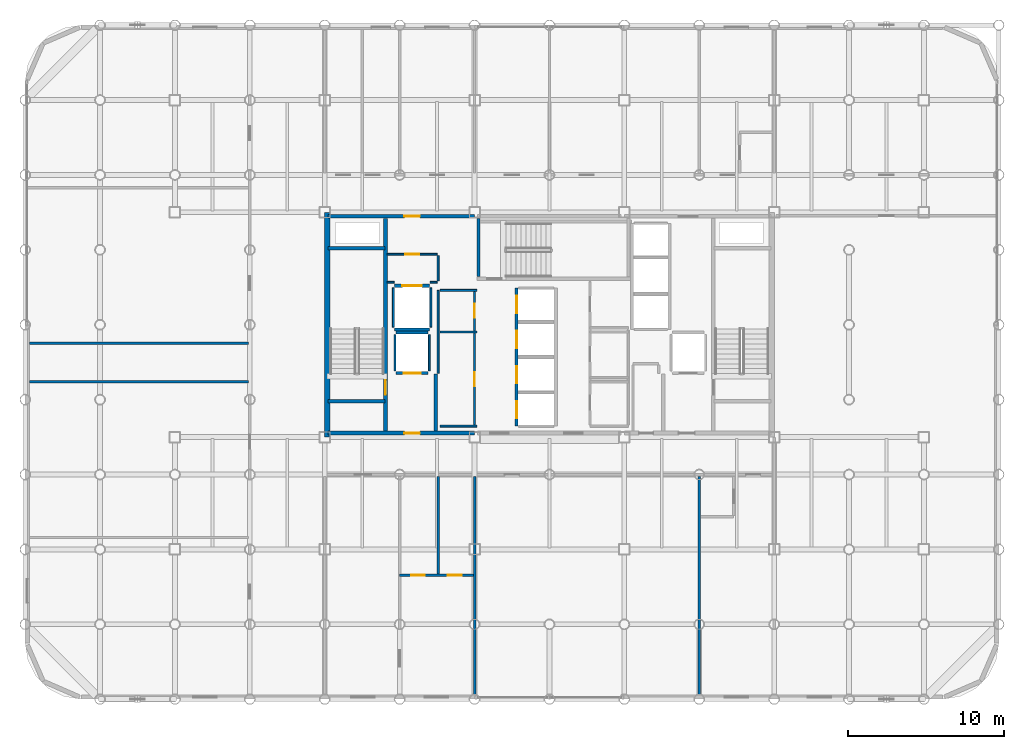
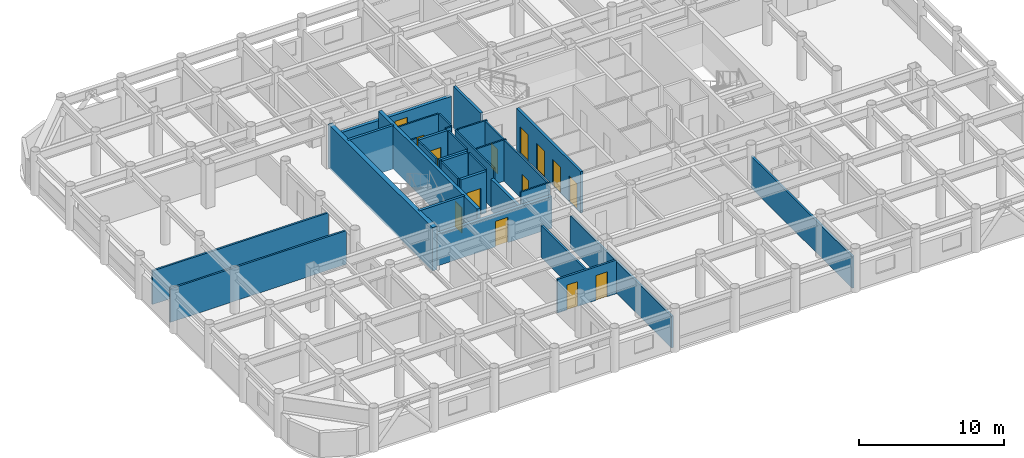
# One storey, part 16 of 20: 32 walls, 14 doors, 14 openings.
"""IFC4 building model written with IfcOpenShell, lengths in metres."""

from ifc_helpers import new_model, si_unit, direction, frame, frame_2d, origin, place, context, subcontext, project, spatial, rectangle, extrude, material, layer, layer_set, type_object, element, fill, save


model = new_model("IFC4")

# Units and contexts
model_context = context("Model", 3, precision=1e-05, world=origin(), true_north=direction((0.0, 1.0)))
body_context = subcontext(model_context, "Body", "Model", "MODEL_VIEW")
ifc_project = project(units=[si_unit("LENGTHUNIT", "METRE"), si_unit("AREAUNIT", "SQUARE_METRE"), si_unit("VOLUMEUNIT", "CUBIC_METRE"), si_unit("PLANEANGLEUNIT", "RADIAN"), si_unit("MASSUNIT", "GRAM", prefix="KILO")], contexts=[model_context])

# Site, building, storey
site_placement = place(None, origin())
site = spatial("IfcSite", under=ifc_project, at=site_placement, CompositionType="ELEMENT")
building_placement = place(site_placement, origin())
building = spatial("IfcBuilding", under=site, at=building_placement, Name="Kallvorn Hotel Tower", CompositionType="ELEMENT")
storey_placement = place(building_placement, frame((0.0, 0.0, 176.60009765625)))
storey = spatial("IfcBuildingStorey", under=building, at=storey_placement, Name="L44", CompositionType="ELEMENT", Elevation=176.60009765625)

# Wall
ifc_material_1 = material(Name="Concrete C50/60", Category="concrete")
ifc_layer_1 = layer(ifc_material_1, 0.35009765625)
ifc_layer_set_1 = layer_set([ifc_layer_1], Name="WL_CORE_350")
wall_type_1 = type_object("IfcWallType", Name="WL_CORE_350", PredefinedType="SHEAR", material=ifc_layer_set_1)
wall_1_placement = place(storey_placement, frame((-14.239990234375, -7.199951171875, -0.18017578125), z_axis=(0.0, 0.0, 1.0), x_axis=(0.0, 1.0, 0.0)))
element("IfcWall", 1, at=wall_1_placement, inside=storey, type_object=wall_type_1, Name="L44 Core West Shear Wall", PredefinedType="SHEAR", context=body_context, shape_type="SweptSolid", body=[
    extrude(rectangle(XDim=14.39990234375, YDim=0.35009765625, at=frame_2d((7.199951171875, 0.0))), origin(), (0.0, 0.0, 1.0), 3.66015625),
])

# Wall, openings, doors
ifc_material_2 = material(Name="Fire-rated double-layer acoustic gypsum drywall EI 60")
ifc_layer_2 = layer(ifc_material_2, 0.159912109375)
ifc_layer_set_2 = layer_set([ifc_layer_2], Name="WL_DEMISE_160")
wall_type_2 = type_object("IfcWallType", Name="WL_DEMISE_160", PredefinedType="PARTITIONING", material=ifc_layer_set_2)
wall_2_placement = place(storey_placement, frame((-9.60009765625, -16.050048828125, 0.0), z_axis=(0.0, 0.0, 1.0), x_axis=(1.0, 0.0, 0.0)))
wall_2 = element("IfcWall", 2, at=wall_2_placement, inside=storey, type_object=wall_type_2, Name="L44 Suite 4401 Executive Bedroom Partition", PredefinedType="PARTITIONING", context=body_context, shape_type="SweptSolid", body=[
    extrude(rectangle(XDim=4.72021484375, YDim=0.159912109375, at=frame_2d((2.360107421875, 0.0))), origin(), (0.0, 0.0, 1.0), 2.829833984375),
])
opening_1_placement = place(wall_2_placement, frame((0.75, 0.0, 0.0)))
opening_1 = element("IfcOpeningElement", 3, at=opening_1_placement, cuts=wall_2, Name="Opening BD-I", PredefinedType="OPENING", context=body_context, shape_type="SweptSolid", body=[
    extrude(rectangle(XDim=0.860107421875, YDim=2.10009765625, at=frame_2d((0.43017578125, 1.050048828125))), frame((0.0, 0.094970703125, 0.0), z_axis=(0.0, -1.0, 0.0), x_axis=(1.0, 0.0, 0.0)), (0.0, 0.0, 1.0), 0.18994140625),
])
opening_2_placement = place(wall_2_placement, frame((3.090087890625, 0.0, 0.0)))
opening_2 = element("IfcOpeningElement", 4, at=opening_2_placement, cuts=wall_2, Name="Opening SVD1", PredefinedType="OPENING", context=body_context, shape_type="SweptSolid", body=[
    extrude(rectangle(XDim=0.89990234375, YDim=2.10009765625, at=frame_2d((0.449951171875, 1.050048828125))), frame((0.0, 0.094970703125, 0.0), z_axis=(0.0, -1.0, 0.0), x_axis=(1.0, 0.0, 0.0)), (0.0, 0.0, 1.0), 0.18994140625),
])
ifc_material_3 = material(Name="Solid-core walnut veneer fire-rated timber door leaf", Category="wood")
door_type_1 = type_object("IfcDoorType", Name="DR_BATH_860x2100", OperationType="NOTDEFINED", PredefinedType="DOOR", material=ifc_material_3)
door_1_placement = place(opening_1_placement, origin())
door_1 = element("IfcDoor", 5, at=door_1_placement, inside=storey, type_object=door_type_1, Name="L44 Suite 4401 En-Suite Bathroom Door", OperationType="SINGLE_SWING_RIGHT", OverallHeight=2.10009765625, OverallWidth=0.860107421875, PredefinedType="DOOR", context=body_context, shape_type="SweptSolid", body=[
    extrude(rectangle(XDim=0.860107421875, YDim=2.10009765625, at=frame_2d((0.43017578125, 1.050048828125))), frame((0.0, 0.02490234375, 0.0), z_axis=(0.0, -1.0, 0.0), x_axis=(1.0, 0.0, 0.0)), (0.0, 0.0, 1.0), 0.050048828125),
])
fill(opening_1, door_1)
ifc_material_4 = material(Name="Galvanised painted steel fire-rated door assembly", Category="steel")
door_type_2 = type_object("IfcDoorType", Name="DR_SERV_900x2100", OperationType="NOTDEFINED", PredefinedType="DOOR", material=ifc_material_4)
door_2_placement = place(opening_2_placement, origin())
door_2 = element("IfcDoor", 6, at=door_2_placement, inside=storey, type_object=door_type_2, Name="L44 Suite 4401 Walk-In Dressing Closet Door", OperationType="SINGLE_SWING_LEFT", OverallHeight=2.10009765625, OverallWidth=0.89990234375, PredefinedType="DOOR", context=body_context, shape_type="SweptSolid", body=[
    extrude(rectangle(XDim=0.89990234375, YDim=2.10009765625, at=frame_2d((0.449951171875, 1.050048828125))), frame((0.0, 0.02490234375, 0.0), z_axis=(0.0, -1.0, 0.0), x_axis=(1.0, 0.0, 0.0)), (0.0, 0.0, 1.0), 0.050048828125),
])
fill(opening_2, door_2)

# Walls
for number, where, z_axis, x_axis, name in (
    (7, (-4.800048828125, -23.7099609375, 0.0), (0.0, 0.0, 1.0), (0.0, 1.0, 0.0), "L44 Suite 4401 Executive Bedroom Partition"),
    (8, (9.60009765625, -23.7099609375, 0.0), (0.0, 0.0, 1.0), (0.0, 1.0, 0.0), "L44 Suite 4402 Deluxe King Room Partition"),
):
    element("IfcWall", number, at=place(storey_placement, frame(where, z_axis=z_axis, x_axis=x_axis)), inside=storey, type_object=wall_type_2, Name=name, PredefinedType="PARTITIONING", context=body_context, shape_type="SweptSolid", body=[
        extrude(rectangle(XDim=13.989990234375, YDim=0.159912109375, at=frame_2d((6.9951171875, 0.0))), origin(), (0.0, 0.0, 1.0), 2.679931640625),
    ])
ifc_material_5 = material(Name="Concrete C40/50", Category="concrete")
ifc_layer_3 = layer(ifc_material_5, 0.219970703125)
ifc_layer_set_3 = layer_set([ifc_layer_3], Name="WL_FFL_220")
wall_type_3 = type_object("IfcWallType", Name="WL_FFL_220", PredefinedType="SOLIDWALL", material=ifc_layer_set_3)
wall_3_placement = place(storey_placement, frame((-7.300048828125, -6.820068359375, 0.0), z_axis=(0.0, 0.0, 1.0), x_axis=(0.0, 1.0, 0.0)))
element("IfcWall", 9, at=wall_3_placement, inside=storey, type_object=wall_type_3, Name="L44 Firefighting Lobby West Divider Wall", PredefinedType="SOLIDWALL", context=body_context, shape_type="SweptSolid", body=[
    extrude(rectangle(XDim=3.670166015625, YDim=0.219970703125, at=frame_2d((1.8349609375, 0.0))), origin(), (0.0, 0.0, 1.0), 2.679931640625),
])
ifc_material_6 = material(Name="Concrete C40/50", Category="concrete")
ifc_layer_4 = layer(ifc_material_6, 0.199951171875)
ifc_layer_set_4 = layer_set([ifc_layer_4], Name="WL_HOIST_200")
wall_type_4 = type_object("IfcWallType", Name="WL_HOIST_200", PredefinedType="SOLIDWALL", material=ifc_layer_set_4)
for number, where, z_axis, x_axis, name in (
    (10, (-14.199951171875, -4.89990234375, -0.18017578125), (0.0, 0.0, 1.0), (1.0, 0.0, 0.0), "L44 Stair ST1 South Wall"),
    (11, (-14.199951171875, 4.89990234375, -0.18017578125), (0.0, 0.0, 1.0), (1.0, 0.0, 0.0), "L44 Stair ST1 North Wall"),
):
    element("IfcWall", number, at=place(storey_placement, frame(where, z_axis=z_axis, x_axis=x_axis)), inside=storey, type_object=wall_type_4, Name=name, PredefinedType="SOLIDWALL", context=body_context, shape_type="SweptSolid", body=[
        extrude(rectangle(XDim=3.64990234375, YDim=0.199951171875, at=frame_2d((1.824951171875, 0.0))), origin(), (0.0, 0.0, 1.0), 3.66015625),
    ])
wall_4_placement = place(storey_placement, frame((-4.550048828125, 3.080078125, -0.18017578125), z_axis=(0.0, 0.0, 1.0), x_axis=(0.0, 1.0, 0.0)))
element("IfcWall", 12, at=wall_4_placement, inside=storey, type_object=wall_type_4, Name="L44 Stair ST3 West Wall", PredefinedType="SOLIDWALL", context=body_context, shape_type="SweptSolid", body=[
    extrude(rectangle(XDim=3.739990234375, YDim=0.199951171875, at=frame_2d((1.8701171875, 0.0))), origin(), (0.0, 0.0, 1.0), 3.66015625),
])

# Wall, openings, doors
wall_5_placement = place(storey_placement, frame((-2.10009765625, -6.5, 0.0), z_axis=(0.0, 0.0, 1.0), x_axis=(0.0, 1.0, 0.0)))
wall_5 = element("IfcWall", 13, at=wall_5_placement, inside=storey, type_object=wall_type_4, Name="L44 Lift Bank B2 Landing Wall", PredefinedType="SOLIDWALL", context=body_context, shape_type="SweptSolid", body=[
    extrude(rectangle(XDim=8.85009765625, YDim=0.199951171875, at=frame_2d((4.425048828125, 0.0))), origin(), (0.0, 0.0, 1.0), 3.47998046875),
])
opening_3_placement = place(wall_5_placement, frame((0.5, 0.0, 0.0)))
opening_3 = element("IfcOpeningElement", 14, at=opening_3_placement, cuts=wall_5, Name="Opening LD-PL-05", PredefinedType="OPENING", context=body_context, shape_type="SweptSolid", body=[
    extrude(rectangle(XDim=1.10009765625, YDim=2.199951171875, at=frame_2d((0.550048828125, 1.10009765625))), frame((0.0, 0.114990234375, 0.0), z_axis=(0.0, -1.0, 0.0), x_axis=(1.0, 0.0, 0.0)), (0.0, 0.0, 1.0), 0.22998046875),
])
opening_4_placement = place(wall_5_placement, frame((2.75, 0.0, 0.0)))
opening_4 = element("IfcOpeningElement", 15, at=opening_4_placement, cuts=wall_5, Name="Opening LD-PL-06", PredefinedType="OPENING", context=body_context, shape_type="SweptSolid", body=[
    extrude(rectangle(XDim=1.10009765625, YDim=2.199951171875, at=frame_2d((0.550048828125, 1.10009765625))), frame((0.0, 0.114990234375, 0.0), z_axis=(0.0, -1.0, 0.0), x_axis=(1.0, 0.0, 0.0)), (0.0, 0.0, 1.0), 0.22998046875),
])
opening_5_placement = place(wall_5_placement, frame((5.0, 0.0, 0.0)))
opening_5 = element("IfcOpeningElement", 16, at=opening_5_placement, cuts=wall_5, Name="Opening LD-PL-07", PredefinedType="OPENING", context=body_context, shape_type="SweptSolid", body=[
    extrude(rectangle(XDim=1.10009765625, YDim=2.199951171875, at=frame_2d((0.550048828125, 1.10009765625))), frame((0.0, 0.114990234375, 0.0), z_axis=(0.0, -1.0, 0.0), x_axis=(1.0, 0.0, 0.0)), (0.0, 0.0, 1.0), 0.22998046875),
])
opening_6_placement = place(wall_5_placement, frame((7.25, 0.0, 0.0)))
opening_6 = element("IfcOpeningElement", 17, at=opening_6_placement, cuts=wall_5, Name="Opening LD-PL-08", PredefinedType="OPENING", context=body_context, shape_type="SweptSolid", body=[
    extrude(rectangle(XDim=1.10009765625, YDim=2.199951171875, at=frame_2d((0.550048828125, 1.10009765625))), frame((0.0, 0.114990234375, 0.0), z_axis=(0.0, -1.0, 0.0), x_axis=(1.0, 0.0, 0.0)), (0.0, 0.0, 1.0), 0.22998046875),
])
ifc_material_7 = material(Name="Brushed stainless-steel automatic sliding lift landing door", Category="steel")
door_type_3 = type_object("IfcDoorType", Name="LD_PASS_1100x2200", OperationType="SLIDING_TO_LEFT", PredefinedType="DOOR", material=ifc_material_7)
door_3_placement = place(opening_3_placement, origin())
door_3 = element("IfcDoor", 18, at=door_3_placement, inside=storey, type_object=door_type_3, Name="L44 Lift Landing Sliding Door LD-PL-05", OperationType="SLIDING_TO_LEFT", OverallHeight=2.199951171875, OverallWidth=1.10009765625, PredefinedType="DOOR", context=body_context, shape_type="SweptSolid", body=[
    extrude(rectangle(XDim=1.10009765625, YDim=2.199951171875, at=frame_2d((0.550048828125, 1.10009765625))), frame((0.0, 0.02490234375, 0.0), z_axis=(0.0, -1.0, 0.0), x_axis=(1.0, 0.0, 0.0)), (0.0, 0.0, 1.0), 0.050048828125),
])
fill(opening_3, door_3)
door_4_placement = place(opening_4_placement, origin())
door_4 = element("IfcDoor", 19, at=door_4_placement, inside=storey, type_object=door_type_3, Name="L44 Lift Landing Sliding Door LD-PL-06", OperationType="SLIDING_TO_LEFT", OverallHeight=2.199951171875, OverallWidth=1.10009765625, PredefinedType="DOOR", context=body_context, shape_type="SweptSolid", body=[
    extrude(rectangle(XDim=1.10009765625, YDim=2.199951171875, at=frame_2d((0.550048828125, 1.10009765625))), frame((0.0, 0.02490234375, 0.0), z_axis=(0.0, -1.0, 0.0), x_axis=(1.0, 0.0, 0.0)), (0.0, 0.0, 1.0), 0.050048828125),
])
fill(opening_4, door_4)
door_5_placement = place(opening_5_placement, origin())
door_5 = element("IfcDoor", 20, at=door_5_placement, inside=storey, type_object=door_type_3, Name="L44 Lift Landing Sliding Door LD-PL-07", OperationType="SLIDING_TO_LEFT", OverallHeight=2.199951171875, OverallWidth=1.10009765625, PredefinedType="DOOR", context=body_context, shape_type="SweptSolid", body=[
    extrude(rectangle(XDim=1.10009765625, YDim=2.199951171875, at=frame_2d((0.550048828125, 1.10009765625))), frame((0.0, 0.02490234375, 0.0), z_axis=(0.0, -1.0, 0.0), x_axis=(1.0, 0.0, 0.0)), (0.0, 0.0, 1.0), 0.050048828125),
])
fill(opening_5, door_5)
door_6_placement = place(opening_6_placement, origin())
door_6 = element("IfcDoor", 21, at=door_6_placement, inside=storey, type_object=door_type_3, Name="L44 Lift Landing Sliding Door LD-PL-08", OperationType="SLIDING_TO_LEFT", OverallHeight=2.199951171875, OverallWidth=1.10009765625, PredefinedType="DOOR", context=body_context, shape_type="SweptSolid", body=[
    extrude(rectangle(XDim=1.10009765625, YDim=2.199951171875, at=frame_2d((0.550048828125, 1.10009765625))), frame((0.0, 0.02490234375, 0.0), z_axis=(0.0, -1.0, 0.0), x_axis=(1.0, 0.0, 0.0)), (0.0, 0.0, 1.0), 0.050048828125),
])
fill(opening_6, door_6)

# Wall, opening, door
wall_6_placement = place(storey_placement, frame((-9.820068359375, -3.10009765625, 0.0), z_axis=(0.0, 0.0, 1.0), x_axis=(1.0, 0.0, 0.0)))
wall_6 = element("IfcWall", 22, at=wall_6_placement, inside=storey, type_object=wall_type_4, Name="L44 FL-1 Landing Wall", PredefinedType="SOLIDWALL", context=body_context, shape_type="SweptSolid", body=[
    extrude(rectangle(XDim=2.0400390625, YDim=0.199951171875, at=frame_2d((1.02001953125, 0.0))), origin(), (0.0, 0.0, 1.0), 3.47998046875),
])
opening_7_placement = place(wall_6_placement, frame((0.469970703125, 0.0, 0.0)))
opening_7 = element("IfcOpeningElement", 23, at=opening_7_placement, cuts=wall_6, Name="Opening LD-FL-1", PredefinedType="OPENING", context=body_context, shape_type="SweptSolid", body=[
    extrude(rectangle(XDim=1.10009765625, YDim=2.199951171875, at=frame_2d((0.550048828125, 1.10009765625))), frame((0.0, 0.114990234375, 0.0), z_axis=(0.0, -1.0, 0.0), x_axis=(1.0, 0.0, 0.0)), (0.0, 0.0, 1.0), 0.22998046875),
])
door_7_placement = place(opening_7_placement, origin())
door_7 = element("IfcDoor", 24, at=door_7_placement, inside=storey, type_object=door_type_3, Name="L44 Lift Landing Sliding Door LD-FL-1", OperationType="SLIDING_TO_LEFT", OverallHeight=2.199951171875, OverallWidth=1.10009765625, PredefinedType="DOOR", context=body_context, shape_type="SweptSolid", body=[
    extrude(rectangle(XDim=1.10009765625, YDim=2.199951171875, at=frame_2d((0.550048828125, 1.10009765625))), frame((0.0, 0.02490234375, 0.0), z_axis=(0.0, -1.0, 0.0), x_axis=(1.0, 0.0, 0.0)), (0.0, 0.0, 1.0), 0.050048828125),
])
fill(opening_7, door_7)

# Wall
wall_7_placement = place(storey_placement, frame((-9.820068359375, -0.5, 0.0), z_axis=(0.0, 0.0, 1.0), x_axis=(1.0, 0.0, 0.0)))
element("IfcWall", 25, at=wall_7_placement, inside=storey, type_object=wall_type_4, Name="L44 FL-1 Rear Shaft Wall", PredefinedType="SOLIDWALL", context=body_context, shape_type="SweptSolid", body=[
    extrude(rectangle(XDim=2.0400390625, YDim=0.199951171875, at=frame_2d((1.02001953125, 0.0))), origin(), (0.0, 0.0, 1.0), 3.47998046875),
])

# Wall, opening, door
wall_8_placement = place(storey_placement, frame((-9.919921875, 2.5, 0.0), z_axis=(0.0, 0.0, 1.0), x_axis=(1.0, 0.0, 0.0)))
wall_8 = element("IfcWall", 26, at=wall_8_placement, inside=storey, type_object=wall_type_4, Name="L44 SV-01 Landing Wall", PredefinedType="SOLIDWALL", context=body_context, shape_type="SweptSolid", body=[
    extrude(rectangle(XDim=2.239990234375, YDim=0.199951171875, at=frame_2d((1.1201171875, 0.0))), origin(), (0.0, 0.0, 1.0), 3.47998046875),
])
opening_8_placement = place(wall_8_placement, frame((0.4951171875, 0.0, 0.0)))
opening_8 = element("IfcOpeningElement", 27, at=opening_8_placement, cuts=wall_8, Name="Opening LD-SV-01", PredefinedType="OPENING", context=body_context, shape_type="SweptSolid", body=[
    extrude(rectangle(XDim=1.25, YDim=2.25, at=frame_2d((0.625, 1.125))), frame((0.0, 0.114990234375, 0.0), z_axis=(0.0, -1.0, 0.0), x_axis=(1.0, 0.0, 0.0)), (0.0, 0.0, 1.0), 0.22998046875),
])
ifc_material_8 = material(Name="Brushed stainless-steel automatic sliding lift landing door", Category="steel")
door_type_4 = type_object("IfcDoorType", Name="LD_SERV_1250x2250", OperationType="SLIDING_TO_LEFT", PredefinedType="DOOR", material=ifc_material_8)
door_8_placement = place(opening_8_placement, origin())
door_8 = element("IfcDoor", 28, at=door_8_placement, inside=storey, type_object=door_type_4, Name="L44 Lift Landing Sliding Door LD-SV-01", OperationType="SLIDING_TO_LEFT", OverallHeight=2.25, OverallWidth=1.25, PredefinedType="DOOR", context=body_context, shape_type="SweptSolid", body=[
    extrude(rectangle(XDim=1.25, YDim=2.25, at=frame_2d((0.625, 1.125))), frame((0.0, 0.02490234375, 0.0), z_axis=(0.0, -1.0, 0.0), x_axis=(1.0, 0.0, 0.0)), (0.0, 0.0, 1.0), 0.050048828125),
])
fill(opening_8, door_8)

# Walls
wall_9_placement = place(storey_placement, frame((-9.919921875, -0.300048828125, 0.0), z_axis=(0.0, 0.0, 1.0), x_axis=(1.0, 0.0, 0.0)))
element("IfcWall", 29, at=wall_9_placement, inside=storey, type_object=wall_type_4, Name="L44 SV-01 Rear Shaft Wall", PredefinedType="SOLIDWALL", context=body_context, shape_type="SweptSolid", body=[
    extrude(rectangle(XDim=2.239990234375, YDim=0.199951171875, at=frame_2d((1.1201171875, 0.0))), origin(), (0.0, 0.0, 1.0), 3.47998046875),
])
ifc_material_9 = material(Name="Fire-rated double-layer acoustic gypsum drywall EI 60")
ifc_layer_5 = layer(ifc_material_9, 0.1201171875)
ifc_layer_set_5 = layer_set([ifc_layer_5], Name="WL_INT_120")
wall_type_5 = type_object("IfcWallType", Name="WL_INT_120", PredefinedType="PARTITIONING", material=ifc_layer_set_5)
for number, where, z_axis, x_axis, name in (
    (30, (-9.89990234375, -2.9599609375, 0.0), (0.0, 0.0, 1.0), (0.0, 1.0, 0.0), "L44 FL-1 West Shaft Wall"),
    (31, (-7.699951171875, -2.9599609375, 0.0), (0.0, 0.0, 1.0), (0.0, 1.0, 0.0), "L44 FL-1 East Shaft Wall"),
):
    element("IfcWall", number, at=place(storey_placement, frame(where, z_axis=z_axis, x_axis=x_axis)), inside=storey, type_object=wall_type_5, Name=name, PredefinedType="PARTITIONING", context=body_context, shape_type="SweptSolid", body=[
        extrude(rectangle(XDim=2.320068359375, YDim=0.1201171875, at=frame_2d((1.16015625, 0.0))), origin(), (0.0, 0.0, 1.0), 3.47998046875),
    ])
for number, where, z_axis, x_axis, name in (
    (32, (-10.0, -0.159912109375, 0.0), (0.0, 0.0, 1.0), (0.0, 1.0, 0.0), "L44 SV-01 West Shaft Wall"),
    (33, (-7.60009765625, -0.159912109375, 0.0), (0.0, 0.0, 1.0), (0.0, 1.0, 0.0), "L44 SV-01 East Shaft Wall"),
):
    element("IfcWall", number, at=place(storey_placement, frame(where, z_axis=z_axis, x_axis=x_axis)), inside=storey, type_object=wall_type_5, Name=name, PredefinedType="PARTITIONING", context=body_context, shape_type="SweptSolid", body=[
        extrude(rectangle(XDim=2.52001953125, YDim=0.1201171875, at=frame_2d((1.260009765625, 0.0))), origin(), (0.0, 0.0, 1.0), 3.47998046875),
    ])
for number, where, z_axis, x_axis, name in (
    (34, (-7.0, -6.5, 0.0), (0.0, 0.0, 1.0), (1.0, 0.0, 0.0), "L44 Recaptured Full-Depth Sommelier Store Partition"),
    (35, (-7.0, -0.466796875, 0.0), (0.0, 0.0, 1.0), (1.0, 0.0, 0.0), "L44 Recaptured Full-Depth Sommelier Store Partition"),
    (36, (-7.0, 2.199951171875, 0.0), (0.0, 0.0, 1.0), (1.0, 0.0, 0.0), "L44 Recaptured Housekeeping Prep Room Partition"),
):
    element("IfcWall", number, at=place(storey_placement, frame(where, z_axis=z_axis, x_axis=x_axis)), inside=storey, type_object=wall_type_5, Name=name, PredefinedType="PARTITIONING", context=body_context, shape_type="SweptSolid", body=[
        extrude(rectangle(XDim=2.35009765625, YDim=0.1201171875, at=frame_2d((1.175048828125, 0.0))), origin(), (0.0, 0.0, 1.0), 3.47998046875),
    ])
for number, where, z_axis, x_axis, name in (
    (37, (-10.39990234375, 2.72509765625, 0.0), (0.0, 0.0, 1.0), (1.0, 0.0, 0.0), "L44 Core Telecom and Metering Store Partition"),
    (38, (-7.639892578125, 2.72509765625, 0.0), (0.0, 0.0, 1.0), (1.0, 0.0, 0.0), "L44 Core Telecom and Metering Store Partition"),
):
    element("IfcWall", number, at=place(storey_placement, frame(where, z_axis=z_axis, x_axis=x_axis)), inside=storey, type_object=wall_type_5, Name=name, PredefinedType="PARTITIONING", context=body_context, shape_type="SweptSolid", body=[
        extrude(rectangle(XDim=0.43994140625, YDim=0.1201171875, at=frame_2d((0.219970703125, 0.0))), origin(), (0.0, 0.0, 1.0), 3.47998046875),
    ])

# Wall, opening, door
wall_10_placement = place(storey_placement, frame((-10.39990234375, 4.52001953125, 0.0), z_axis=(0.0, 0.0, 1.0), x_axis=(1.0, 0.0, 0.0)))
wall_10 = element("IfcWall", 39, at=wall_10_placement, inside=storey, type_object=wall_type_5, Name="L44 Core Telecom and Metering Store Partition", PredefinedType="PARTITIONING", context=body_context, shape_type="SweptSolid", body=[
    extrude(rectangle(XDim=3.199951171875, YDim=0.1201171875, at=frame_2d((1.60009765625, 0.0))), origin(), (0.0, 0.0, 1.0), 3.47998046875),
])
opening_9_placement = place(wall_10_placement, frame((1.14990234375, 0.0, 0.0)))
opening_9 = element("IfcOpeningElement", 40, at=opening_9_placement, cuts=wall_10, Name="Opening SVD1", PredefinedType="OPENING", context=body_context, shape_type="SweptSolid", body=[
    extrude(rectangle(XDim=0.89990234375, YDim=2.10009765625, at=frame_2d((0.449951171875, 1.050048828125))), frame((0.0, 0.074951171875, 0.0), z_axis=(0.0, -1.0, 0.0), x_axis=(1.0, 0.0, 0.0)), (0.0, 0.0, 1.0), 0.150146484375),
])
door_9_placement = place(opening_9_placement, origin())
door_9 = element("IfcDoor", 41, at=door_9_placement, inside=storey, type_object=door_type_2, Name="L44 Core Telecom and Metering Store Door", OperationType="SINGLE_SWING_LEFT", OverallHeight=2.10009765625, OverallWidth=0.89990234375, PredefinedType="DOOR", context=body_context, shape_type="SweptSolid", body=[
    extrude(rectangle(XDim=0.89990234375, YDim=2.10009765625, at=frame_2d((0.449951171875, 1.050048828125))), frame((0.0, 0.02490234375, 0.0), z_axis=(0.0, -1.0, 0.0), x_axis=(1.0, 0.0, 0.0)), (0.0, 0.0, 1.0), 0.050048828125),
])
fill(opening_9, door_9)

# Walls
wall_11_placement = place(storey_placement, frame((-7.135986328125, -3.110107421875, 0.0), z_axis=(0.0, 0.0, 1.0), x_axis=(0.0, 1.0, 0.0)))
element("IfcWall", 42, at=wall_11_placement, inside=storey, type_object=wall_type_5, Name="L44 Recaptured Full-Depth Sommelier Store Partition", PredefinedType="PARTITIONING", context=body_context, shape_type="SweptSolid", body=[
    extrude(rectangle(XDim=5.31005859375, YDim=0.1201171875, at=frame_2d((2.655029296875, 0.0))), origin(), (0.0, 0.0, 1.0), 3.47998046875),
])
wall_12_placement = place(storey_placement, frame((-7.135986328125, 2.81005859375, 0.0), z_axis=(0.0, 0.0, 1.0), x_axis=(0.0, 1.0, 0.0)))
element("IfcWall", 43, at=wall_12_placement, inside=storey, type_object=wall_type_5, Name="L44 Core Telecom and Metering Store Partition", PredefinedType="PARTITIONING", context=body_context, shape_type="SweptSolid", body=[
    extrude(rectangle(XDim=1.625, YDim=0.1201171875, at=frame_2d((0.8125, 0.0))), origin(), (0.0, 0.0, 1.0), 3.47998046875),
])

# Wall, openings, doors
wall_13_placement = place(storey_placement, frame((-4.800048828125, -6.4150390625, 0.0), z_axis=(0.0, 0.0, 1.0), x_axis=(0.0, 1.0, 0.0)))
wall_13 = element("IfcWall", 44, at=wall_13_placement, inside=storey, type_object=wall_type_5, Name="L44 Recaptured Full-Depth Sommelier Store Partition", PredefinedType="PARTITIONING", context=body_context, shape_type="SweptSolid", body=[
    extrude(rectangle(XDim=8.530029296875, YDim=0.1201171875, at=frame_2d((4.26513671875, 0.0))), origin(), (0.0, 0.0, 1.0), 3.47998046875),
])
opening_10_placement = place(wall_13_placement, frame((2.465087890625, 0.0, 0.0)))
opening_10 = element("IfcOpeningElement", 45, at=opening_10_placement, cuts=wall_13, Name="Opening SVD1", PredefinedType="OPENING", context=body_context, shape_type="SweptSolid", body=[
    extrude(rectangle(XDim=0.89990234375, YDim=2.10009765625, at=frame_2d((0.449951171875, 1.050048828125))), frame((0.0, 0.074951171875, 0.0), z_axis=(0.0, -1.0, 0.0), x_axis=(1.0, 0.0, 0.0)), (0.0, 0.0, 1.0), 0.150146484375),
])
opening_11_placement = place(wall_13_placement, frame((6.864990234375, 0.0, 0.0)))
opening_11 = element("IfcOpeningElement", 46, at=opening_11_placement, cuts=wall_13, Name="Opening SVD1", PredefinedType="OPENING", context=body_context, shape_type="SweptSolid", body=[
    extrude(rectangle(XDim=0.89990234375, YDim=2.10009765625, at=frame_2d((0.449951171875, 1.050048828125))), frame((0.0, 0.074951171875, 0.0), z_axis=(0.0, -1.0, 0.0), x_axis=(1.0, 0.0, 0.0)), (0.0, 0.0, 1.0), 0.150146484375),
])
door_10_placement = place(opening_10_placement, origin())
door_10 = element("IfcDoor", 47, at=door_10_placement, inside=storey, type_object=door_type_2, Name="L44 Recaptured Full-Depth Sommelier Store Door", OperationType="SINGLE_SWING_LEFT", OverallHeight=2.10009765625, OverallWidth=0.89990234375, PredefinedType="DOOR", context=body_context, shape_type="SweptSolid", body=[
    extrude(rectangle(XDim=0.89990234375, YDim=2.10009765625, at=frame_2d((0.449951171875, 1.050048828125))), frame((0.0, 0.02490234375, 0.0), z_axis=(0.0, -1.0, 0.0), x_axis=(1.0, 0.0, 0.0)), (0.0, 0.0, 1.0), 0.050048828125),
])
fill(opening_10, door_10)
door_11_placement = place(opening_11_placement, origin())
door_11 = element("IfcDoor", 48, at=door_11_placement, inside=storey, type_object=door_type_2, Name="L44 Recaptured Housekeeping Prep Room Door", OperationType="SINGLE_SWING_LEFT", OverallHeight=2.10009765625, OverallWidth=0.89990234375, PredefinedType="DOOR", context=body_context, shape_type="SweptSolid", body=[
    extrude(rectangle(XDim=0.89990234375, YDim=2.10009765625, at=frame_2d((0.449951171875, 1.050048828125))), frame((0.0, 0.02490234375, 0.0), z_axis=(0.0, -1.0, 0.0), x_axis=(1.0, 0.0, 0.0)), (0.0, 0.0, 1.0), 0.050048828125),
])
fill(opening_11, door_11)

# Walls
ifc_material_10 = material(Name="Fire-rated double-layer acoustic gypsum drywall EI 60")
ifc_layer_6 = layer(ifc_material_10, 0.14990234375)
ifc_layer_set_6 = layer_set([ifc_layer_6], Name="WL_PART_150")
wall_type_6 = type_object("IfcWallType", Name="WL_PART_150", PredefinedType="PARTITIONING", material=ifc_layer_set_6)
for number, where, z_axis, x_axis, name in (
    (49, (-33.31005859375, -3.659912109375, 0.0), (0.0, 0.0, 1.0), (1.0, 0.0, 0.0), "L44 L44 South-West Spine Boutique Shop Partition"),
    (50, (-33.31005859375, -1.179931640625, 0.0), (0.0, 0.0, 1.0), (1.0, 0.0, 0.0), "L44 L44 North-West Spine Pastry Cafe Partition"),
):
    element("IfcWall", number, at=place(storey_placement, frame(where, z_axis=z_axis, x_axis=x_axis)), inside=storey, type_object=wall_type_6, Name=name, PredefinedType="PARTITIONING", context=body_context, shape_type="SweptSolid", body=[
        extrude(rectangle(XDim=14.030029296875, YDim=0.14990234375, at=frame_2d((7.01513671875, 0.0))), origin(), (0.0, 0.0, 1.0), 2.829833984375),
    ])
wall_14_placement = place(storey_placement, frame((-7.135986328125, -15.965087890625, 0.0), z_axis=(0.0, 0.0, 1.0), x_axis=(0.0, 1.0, 0.0)))
element("IfcWall", 51, at=wall_14_placement, inside=storey, type_object=wall_type_6, Name="L44 Suite 4401 Walk-In Dressing Closet Partition", PredefinedType="PARTITIONING", context=body_context, shape_type="SweptSolid", body=[
    extrude(rectangle(XDim=6.2451171875, YDim=0.14990234375, at=frame_2d((3.12255859375, 0.0))), origin(), (0.0, 0.0, 1.0), 2.679931640625),
])

# Wall, opening, door
ifc_material_11 = material(Name="Concrete C40/50", Category="concrete")
ifc_layer_7 = layer(ifc_material_11, 0.25)
ifc_layer_set_7 = layer_set([ifc_layer_7], Name="WL_SHAFT_250")
wall_type_7 = type_object("IfcWallType", Name="WL_SHAFT_250", PredefinedType="SOLIDWALL", material=ifc_layer_set_7)
wall_15_placement = place(storey_placement, frame((-14.199951171875, -6.949951171875, 0.0), z_axis=(0.0, 0.0, 1.0), x_axis=(1.0, 0.0, 0.0)))
wall_15 = element("IfcWall", 52, at=wall_15_placement, inside=storey, type_object=wall_type_7, Name="L44 Core South-West Wall", PredefinedType="SOLIDWALL", context=body_context, shape_type="SweptSolid", body=[
    extrude(rectangle(XDim=9.39990234375, YDim=0.25, at=frame_2d((4.699951171875, 0.0))), origin(), (0.0, 0.0, 1.0), 2.679931640625),
])
opening_12_placement = place(wall_15_placement, frame((4.89990234375, 0.0, 0.0)))
opening_12 = element("IfcOpeningElement", 53, at=opening_12_placement, cuts=wall_15, Name="Opening FD1", PredefinedType="OPENING", context=body_context, shape_type="SweptSolid", body=[
    extrude(rectangle(XDim=1.0, YDim=2.14990234375, at=frame_2d((0.5, 1.074951171875))), frame((0.0, 0.139892578125, 0.0), z_axis=(0.0, -1.0, 0.0), x_axis=(1.0, 0.0, 0.0)), (0.0, 0.0, 1.0), 0.280029296875),
])
ifc_material_12 = material(Name="Galvanised painted steel fire-rated door assembly", Category="steel")
door_type_5 = type_object("IfcDoorType", Name="DR_FFL_1000x2150", OperationType="NOTDEFINED", PredefinedType="DOOR", material=ifc_material_12)
door_12_placement = place(opening_12_placement, origin())
door_12 = element("IfcDoor", 54, at=door_12_placement, inside=storey, type_object=door_type_5, Name="L44 Firefighting Lobby West Door", OperationType="SINGLE_SWING_LEFT", OverallHeight=2.14990234375, OverallWidth=1.0, PredefinedType="DOOR", context=body_context, shape_type="SweptSolid", body=[
    extrude(rectangle(XDim=1.0, YDim=2.14990234375, at=frame_2d((0.5, 1.074951171875))), frame((0.0, 0.02490234375, 0.0), z_axis=(0.0, -1.0, 0.0), x_axis=(1.0, 0.0, 0.0)), (0.0, 0.0, 1.0), 0.050048828125),
])
fill(opening_12, door_12)

wall_16_placement = place(storey_placement, frame((-14.199951171875, 6.949951171875, 0.0), z_axis=(0.0, 0.0, 1.0), x_axis=(1.0, 0.0, 0.0)))
wall_16 = element("IfcWall", 55, at=wall_16_placement, inside=storey, type_object=wall_type_7, Name="L44 Core North-West Wall", PredefinedType="SOLIDWALL", context=body_context, shape_type="SweptSolid", body=[
    extrude(rectangle(XDim=9.39990234375, YDim=0.25, at=frame_2d((4.699951171875, 0.0))), origin(), (0.0, 0.0, 1.0), 2.679931640625),
])
opening_13_placement = place(wall_16_placement, frame((4.89990234375, 0.0, 0.0)))
opening_13 = element("IfcOpeningElement", 56, at=opening_13_placement, cuts=wall_16, Name="Opening FD1", PredefinedType="OPENING", context=body_context, shape_type="SweptSolid", body=[
    extrude(rectangle(XDim=1.0, YDim=2.14990234375, at=frame_2d((0.5, 1.074951171875))), frame((0.0, 0.139892578125, 0.0), z_axis=(0.0, -1.0, 0.0), x_axis=(1.0, 0.0, 0.0)), (0.0, 0.0, 1.0), 0.280029296875),
])
door_13_placement = place(opening_13_placement, origin())
door_13 = element("IfcDoor", 57, at=door_13_placement, inside=storey, type_object=door_type_5, Name="L44 Service Lift Lobby Door", OperationType="SINGLE_SWING_RIGHT", OverallHeight=2.14990234375, OverallWidth=1.0, PredefinedType="DOOR", context=body_context, shape_type="SweptSolid", body=[
    extrude(rectangle(XDim=1.0, YDim=2.14990234375, at=frame_2d((0.5, 1.074951171875))), frame((0.0, 0.02490234375, 0.0), z_axis=(0.0, -1.0, 0.0), x_axis=(1.0, 0.0, 0.0)), (0.0, 0.0, 1.0), 0.050048828125),
])
fill(opening_13, door_13)

wall_17_placement = place(storey_placement, frame((-10.5, -6.820068359375, -0.18017578125), z_axis=(0.0, 0.0, 1.0), x_axis=(0.0, 1.0, 0.0)))
wall_17 = element("IfcWall", 58, at=wall_17_placement, inside=storey, type_object=wall_type_7, Name="L44 Stair ST1 Shaft Wall", PredefinedType="SOLIDWALL", context=body_context, shape_type="SweptSolid", body=[
    extrude(rectangle(XDim=13.64013671875, YDim=0.25, at=frame_2d((6.820068359375, 0.0))), origin(), (0.0, 0.0, 1.0), 3.66015625),
])
opening_14_placement = place(wall_17_placement, frame((2.320068359375, 0.0, 0.179931640625)))
opening_14 = element("IfcOpeningElement", 59, at=opening_14_placement, cuts=wall_17, Name="Opening SD1", PredefinedType="OPENING", context=body_context, shape_type="SweptSolid", body=[
    extrude(rectangle(XDim=0.949951171875, YDim=2.14990234375, at=frame_2d((0.47509765625, 1.074951171875))), frame((0.0, 0.139892578125, 0.0), z_axis=(0.0, -1.0, 0.0), x_axis=(1.0, 0.0, 0.0)), (0.0, 0.0, 1.0), 0.280029296875),
])
ifc_material_13 = material(Name="Galvanised painted steel fire-rated door assembly", Category="steel")
door_type_6 = type_object("IfcDoorType", Name="DR_STAIR_950x2150", OperationType="NOTDEFINED", PredefinedType="DOOR", material=ifc_material_13)
door_14_placement = place(opening_14_placement, origin())
door_14 = element("IfcDoor", 60, at=door_14_placement, inside=storey, type_object=door_type_6, Name="L44 Exit Stair ST1 Fire Door", OperationType="SINGLE_SWING_RIGHT", OverallHeight=2.14990234375, OverallWidth=0.949951171875, PredefinedType="DOOR", context=body_context, shape_type="SweptSolid", body=[
    extrude(rectangle(XDim=0.949951171875, YDim=2.14990234375, at=frame_2d((0.47509765625, 1.074951171875))), frame((0.0, 0.02490234375, 0.0), z_axis=(0.0, -1.0, 0.0), x_axis=(1.0, 0.0, 0.0)), (0.0, 0.0, 1.0), 0.050048828125),
])
fill(opening_14, door_14)

save(model, "model.ifc")
